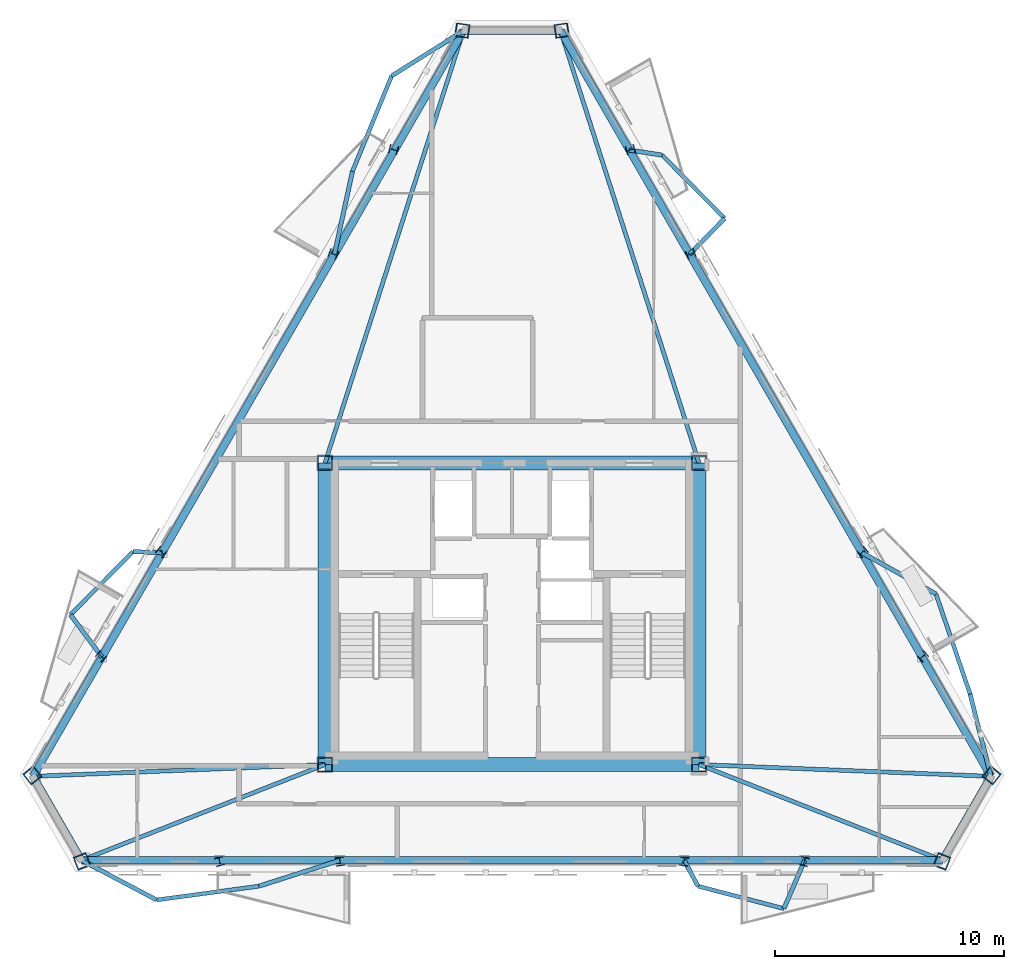
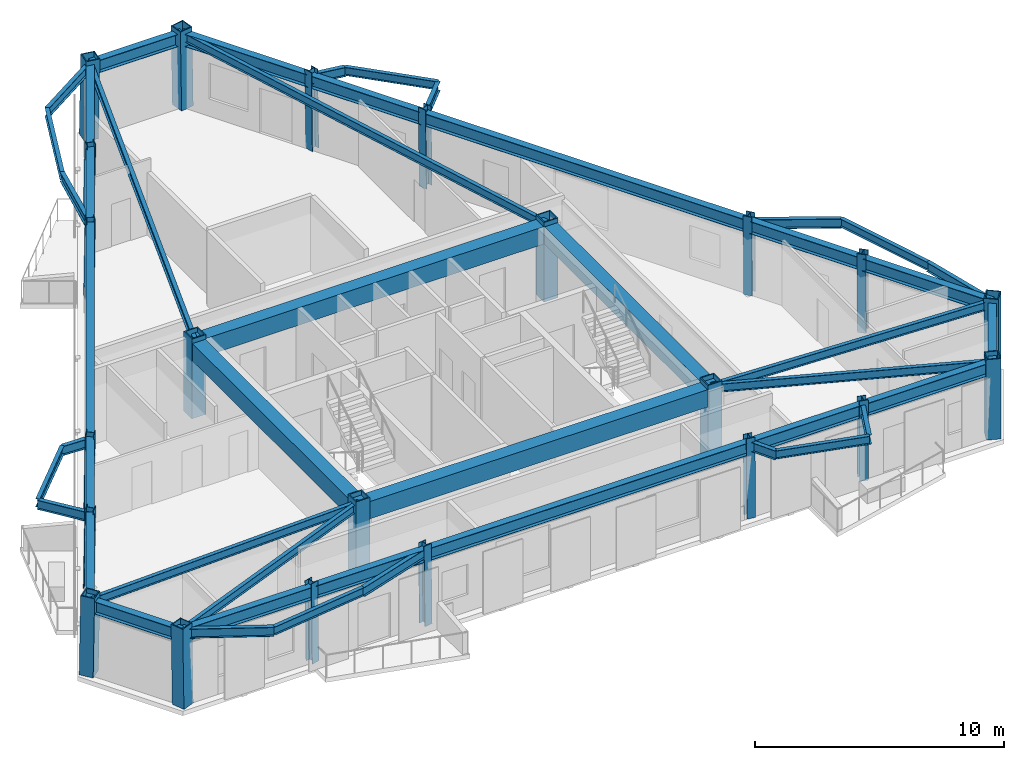
# One storey, part 1 of 9: 46 beams, 22 columns.
"""IFC4 building model written with IfcOpenShell, lengths in metres."""

from ifc_helpers import new_model, si_unit, direction, frame, origin, origin_2d, place, context, subcontext, project, spatial, rectangle, hollow_rectangle, i_section, extrude, material, material_profile, profile_set, type_object, element, save


model = new_model("IFC4")

# Units and contexts
model_context = context("Model", 3, precision=1e-05, world=origin(), true_north=direction((0.0, 1.0)))
body_context = subcontext(model_context, "Body", "Model", "MODEL_VIEW")
ifc_project = project(units=[si_unit("LENGTHUNIT", "METRE"), si_unit("AREAUNIT", "SQUARE_METRE"), si_unit("VOLUMEUNIT", "CUBIC_METRE"), si_unit("PLANEANGLEUNIT", "RADIAN"), si_unit("MASSUNIT", "GRAM", prefix="KILO")], contexts=[model_context])

# Site, building, storey
site_placement = place(None, origin())
site = spatial("IfcSite", under=ifc_project, at=site_placement, CompositionType="ELEMENT")
building_placement = place(site_placement, origin())
building = spatial("IfcBuilding", under=site, at=building_placement, Name="Oramaril Tower", CompositionType="ELEMENT")
storey_placement = place(building_placement, frame((0.0, 0.0, 285.0)))
storey = spatial("IfcBuildingStorey", under=building, at=storey_placement, Name="L75", CompositionType="ELEMENT", Elevation=285.0)

# Columns
ifc_material_1 = material(Name="Steel ASTM A572 Gr 50", Category="steel")
ifc_material_profile_1 = material_profile(ifc_material_1, hollow_rectangle(XDim=0.64990234375, YDim=0.64990234375, WallThickness=0.050048828125, at=origin_2d()), Name="BOX650X650X50")
ifc_profile_set_1 = profile_set([ifc_material_profile_1], Name="Steel ASTM A572 Gr 50")
column_type_1 = type_object("IfcColumnType", Name="CT-CC5", PredefinedType="COLUMN", material=ifc_profile_set_1)
for number, where, z_axis, x_axis, name in (
    (1, (29.35009765625, 11.0, 0.0), (0.0, 0.0, 1.0), (1.0, 0.0, 0.0), "L75 Core Column CC-1"),
    (2, (45.64990234375, 11.0, 0.0), (0.0, 0.0, 1.0), (1.0, 0.0, 0.0), "L75 Core Column CC-2"),
    (3, (45.64990234375, 24.14990234375, 0.0), (0.0, 0.0, 1.0), (1.0, 0.0, 0.0), "L75 Core Column CC-3"),
    (4, (29.35009765625, 24.14990234375, 0.0), (0.0, 0.0, 1.0), (1.0, 0.0, 0.0), "L75 Core Column CC-4"),
):
    element("IfcColumn", number, at=place(storey_placement, frame(where, z_axis=z_axis, x_axis=x_axis)), inside=storey, type_object=column_type_1, Name=name, PredefinedType="COLUMN", context=body_context, shape_type="SweptSolid", body=[
        extrude(hollow_rectangle(XDim=0.64990234375, YDim=0.64990234375, WallThickness=0.050048828125, at=origin_2d()), origin(), (0.0, 0.0, 1.0), 3.89990234375),
    ])
ifc_material_2 = material(Name="Steel ASTM A572 Gr 50", Category="steel")
ifc_material_profile_2 = material_profile(ifc_material_2, hollow_rectangle(XDim=0.60009765625, YDim=0.60009765625, WallThickness=0.044921875, at=origin_2d()), Name="BOX600X600X45")
ifc_profile_set_2 = profile_set([ifc_material_profile_2], Name="Steel ASTM A572 Gr 50")
column_type_2 = type_object("IfcColumnType", Name="CT-TC5", PredefinedType="COLUMN", material=ifc_profile_set_2)
for number, where, z_axis, x_axis, name in (
    (5, (16.58544921875, 10.535400390625, 0.00439453125), (0.009974899341, -0.012358837548, 0.999873872305), (0.778163919532, 0.628061234546, 0.0), "L75 Tube Column TC-01"),
    (6, (18.759521484375, 6.769775390625, 0.00439453125), (-0.005771639075, 0.014805508932, 0.999873734572), (-0.931708001736, -0.363208204067, 0.0), "L75 Tube Column TC-02"),
    (7, (56.240478515625, 6.769775390625, 0.00439453125), (0.005771639075, 0.014805508932, 0.999873734572), (-0.931708001736, 0.363208204067, 0.0), "L75 Tube Column TC-03"),
    (8, (58.41455078125, 10.535400390625, 0.00439453125), (-0.009974899341, -0.012358837548, 0.999873872305), (0.778163919532, -0.628061234546, 0.0), "L75 Tube Column TC-04"),
    (9, (39.674072265625, 42.994873046875, 0.00439453125), (-0.015683808501, -0.002383938892, 0.999874159575), (0.150273948098, -0.988644395383, 0.0), "L75 Tube Column TC-05"),
    (10, (35.325927734375, 42.994873046875, 0.00439453125), (0.015683808501, -0.002383938892, 0.999874159575), (0.150273948098, 0.988644395383, 0.0), "L75 Tube Column TC-06"),
):
    element("IfcColumn", number, at=place(storey_placement, frame(where, z_axis=z_axis, x_axis=x_axis)), inside=storey, type_object=column_type_2, Name=name, PredefinedType="COLUMN", context=body_context, shape_type="SweptSolid", body=[
        extrude(hollow_rectangle(XDim=0.60009765625, YDim=0.60009765625, WallThickness=0.044921875, at=origin_2d()), origin(), (0.0, 0.0, 1.0), 3.8916015625),
    ])
ifc_material_3 = material(Name="Steel ASTM A572 Gr 50", Category="steel")
ifc_material_profile_3 = material_profile(ifc_material_3, i_section(OverallWidth=0.373046875, OverallDepth=0.373046875, WebThickness=0.016357421875, FlangeThickness=0.026123046875, at=origin_2d()), Name="W14X132")
ifc_profile_set_3 = profile_set([ifc_material_profile_3], Name="Steel ASTM A572 Gr 50")
column_type_3 = type_object("IfcColumnType", Name="CT-TF5", PredefinedType="COLUMN", material=ifc_profile_set_3)
for number, where, z_axis, x_axis, name in (
    (11, (24.756591796875, 6.769775390625, 0.00439453125), (-0.003952353023, 0.014805639896, 0.999882579073), (-0.966166956994, -0.257917450384, 0.0), "L75 Tube Column TC-07"),
    (12, (30.00390625, 6.769775390625, 0.00439453125), (-0.002321235081, 0.01480571565, 0.99988769502), (-0.987932089453, -0.154887658092, 0.0), "L75 Tube Column TC-08"),
    (13, (44.99609375, 6.769775390625, 0.00439453125), (0.002321235081, 0.01480571565, 0.99988769502), (-0.987932089453, 0.154887658092, 0.0), "L75 Tube Column TC-09"),
    (14, (50.243408203125, 6.769775390625, 0.00439453125), (0.003952353023, 0.014805639896, 0.999882579073), (-0.966166956994, 0.257917450384, 0.0), "L75 Tube Column TC-10"),
    (15, (55.416015625, 15.72900390625, 0.00439453125), (-0.010853290119, -0.010790554338, 0.999882878157), (0.705054234529, -0.709153387056, 0.0), "L75 Tube Column TC-11"),
    (16, (52.79248046875, 20.273193359375, 0.00439453125), (-0.011668917641, -0.009347681336, 0.99988822236), (0.625206622887, -0.780459274208, 0.0), "L75 Tube Column TC-12"),
    (17, (45.296142578125, 33.257080078125, 0.00439453125), (-0.013990144915, -0.005395302523, 0.999887576958), (0.359820037684, -0.933021725621, 0.0), "L75 Tube Column TC-13"),
    (18, (42.672607421875, 37.80126953125, 0.00439453125), (-0.014805639896, -0.003952353023, 0.999882579073), (0.257917450384, -0.966166956994, 0.0), "L75 Tube Column TC-14"),
    (19, (32.327392578125, 37.80126953125, 0.00439453125), (0.014805639896, -0.003952353023, 0.999882579073), (0.257917450384, 0.966166956994, 0.0), "L75 Tube Column TC-15"),
    (20, (29.703857421875, 33.257080078125, 0.00439453125), (0.013990144915, -0.005395302523, 0.999887576958), (0.359820037684, 0.933021725621, 0.0), "L75 Tube Column TC-16"),
    (21, (22.20751953125, 20.273193359375, 0.00439453125), (0.011668917641, -0.009347681336, 0.99988822236), (0.625206622887, 0.780459274208, 0.0), "L75 Tube Column TC-17"),
    (22, (19.583984375, 15.72900390625, 0.00439453125), (0.010853290119, -0.010790554338, 0.999882878157), (0.705054234529, 0.709153387056, 0.0), "L75 Tube Column TC-18"),
):
    element("IfcColumn", number, at=place(storey_placement, frame(where, z_axis=z_axis, x_axis=x_axis)), inside=storey, type_object=column_type_3, Name=name, PredefinedType="COLUMN", context=body_context, shape_type="SweptSolid", body=[
        extrude(i_section(OverallWidth=0.373046875, OverallDepth=0.373046875, WebThickness=0.016357421875, FlangeThickness=0.026123046875, at=origin_2d()), origin(), (0.0, 0.0, 1.0), 3.8916015625),
    ])

# Beams
ifc_material_4 = material(Name="Steel ASTM A572 Gr 50", Category="steel")
ifc_material_profile_4 = material_profile(ifc_material_4, i_section(OverallWidth=0.19091796875, OverallDepth=0.45703125, WebThickness=0.009033203125, FlangeThickness=0.014404296875, at=origin_2d()), Name="W18X50")
ifc_profile_set_4 = profile_set([ifc_material_profile_4], Name="Steel ASTM A572 Gr 50")
beam_type_1 = type_object("IfcBeamType", Name="BT-BB1", PredefinedType="BEAM", material=ifc_profile_set_4)
for number, where, z_axis, x_axis, name in (
    (23, (18.737060546875, 6.827392578125, 3.451416015625), (0.884062224735, -0.467369214644, 0.0), (0.467369214644, 0.884062224735, 0.0), "L75 Balcony Column-Framed Cantilever 01.1"),
    (24, (29.994873046875, 6.827392578125, 3.451416015625), (-0.952466275355, -0.304644045259, 0.0), (0.304644045259, -0.952466275355, 0.0), "L75 Balcony Column-Framed Cantilever 01.2"),
):
    element("IfcBeam", number, at=place(storey_placement, frame(where, z_axis=z_axis, x_axis=x_axis)), inside=storey, type_object=beam_type_1, Name=name, PredefinedType="BEAM", context=body_context, shape_type="SweptSolid", body=[
        extrude(i_section(OverallWidth=0.19091796875, OverallDepth=0.45703125, WebThickness=0.009033203125, FlangeThickness=0.014404296875, at=origin_2d()), origin(), (0.0, 0.0, 1.0), 3.699951171875),
    ])
beam_1_placement = place(storey_placement, frame((45.005126953125, 6.827392578125, 3.451416015625), z_axis=(0.470439524127, -0.882432237704, 0.0), x_axis=(0.882432237704, 0.470439524127, 0.0)))
element("IfcBeam", 25, at=beam_1_placement, inside=storey, type_object=beam_type_1, Name="L75 Balcony Column-Framed Cantilever 02.1", PredefinedType="BEAM", context=body_context, shape_type="SweptSolid", body=[
    extrude(i_section(OverallWidth=0.19091796875, OverallDepth=0.45703125, WebThickness=0.009033203125, FlangeThickness=0.014404296875, at=origin_2d()), origin(), (0.0, 0.0, 1.0), 1.2783203125),
])
beam_2_placement = place(storey_placement, frame((50.2587890625, 6.827392578125, 3.451416015625), z_axis=(-0.395690149586, -0.91838407299, 0.0), x_axis=(0.91838407299, -0.395690149586, 0.0)))
element("IfcBeam", 26, at=beam_2_placement, inside=storey, type_object=beam_type_1, Name="L75 Balcony Column-Framed Cantilever 02.2", PredefinedType="BEAM", context=body_context, shape_type="SweptSolid", body=[
    extrude(i_section(OverallWidth=0.19091796875, OverallDepth=0.45703125, WebThickness=0.009033203125, FlangeThickness=0.014404296875, at=origin_2d()), origin(), (0.0, 0.0, 1.0), 2.295166015625),
])
for number, where, z_axis, x_axis, name in (
    (27, (58.375732421875, 10.4873046875, 3.451416015625), (-0.245329243552, 0.969439818791, 0.0), (-0.969439818791, -0.245329243552, 0.0), "L75 Balcony Column-Framed Cantilever 03.1"),
    (28, (52.7470703125, 20.23681640625, 3.451416015625), (0.873496628922, -0.486830195512, 0.0), (0.486830195512, 0.873496628922, 0.0), "L75 Balcony Column-Framed Cantilever 03.2"),
):
    element("IfcBeam", number, at=place(storey_placement, frame(where, z_axis=z_axis, x_axis=x_axis)), inside=storey, type_object=beam_type_1, Name=name, PredefinedType="BEAM", context=body_context, shape_type="SweptSolid", body=[
        extrude(i_section(OverallWidth=0.19091796875, OverallDepth=0.45703125, WebThickness=0.009033203125, FlangeThickness=0.014404296875, at=origin_2d()), origin(), (0.0, 0.0, 1.0), 3.699951171875),
    ])
beam_3_placement = place(storey_placement, frame((45.24169921875, 33.236083984375, 3.451416015625), z_axis=(0.695712625371, 0.71832022309, 0.0), x_axis=(-0.71832022309, 0.695712625371, 0.0)))
element("IfcBeam", 29, at=beam_3_placement, inside=storey, type_object=beam_type_1, Name="L75 Balcony Column-Framed Cantilever 04.1", PredefinedType="BEAM", context=body_context, shape_type="SweptSolid", body=[
    extrude(i_section(OverallWidth=0.19091796875, OverallDepth=0.45703125, WebThickness=0.009033203125, FlangeThickness=0.014404296875, at=origin_2d()), origin(), (0.0, 0.0, 1.0), 2.192138671875),
])
beam_4_placement = place(storey_placement, frame((42.614990234375, 37.785888671875, 3.451416015625), z_axis=(0.9881130552, -0.153728950246, 0.0), x_axis=(0.153728950246, 0.9881130552, 0.0)))
element("IfcBeam", 30, at=beam_4_placement, inside=storey, type_object=beam_type_1, Name="L75 Balcony Column-Framed Cantilever 04.2", PredefinedType="BEAM", context=body_context, shape_type="SweptSolid", body=[
    extrude(i_section(OverallWidth=0.19091796875, OverallDepth=0.45703125, WebThickness=0.009033203125, FlangeThickness=0.014404296875, at=origin_2d()), origin(), (0.0, 0.0, 1.0), 1.448486328125),
])
for number, where, z_axis, x_axis, name in (
    (31, (35.386962890625, 42.985595703125, 3.451416015625), (-0.846769030932, -0.531960720593, 0.0), (0.531960720593, -0.846769030932, 0.0), "L75 Balcony Column-Framed Cantilever 05.1"),
    (32, (29.75830078125, 33.236083984375, 3.451416015625), (0.2123447186, 0.977194822173, 0.0), (-0.977194822173, 0.2123447186, 0.0), "L75 Balcony Column-Framed Cantilever 05.2"),
):
    element("IfcBeam", number, at=place(storey_placement, frame(where, z_axis=z_axis, x_axis=x_axis)), inside=storey, type_object=beam_type_1, Name=name, PredefinedType="BEAM", context=body_context, shape_type="SweptSolid", body=[
        extrude(i_section(OverallWidth=0.19091796875, OverallDepth=0.45703125, WebThickness=0.009033203125, FlangeThickness=0.014404296875, at=origin_2d()), origin(), (0.0, 0.0, 1.0), 3.699951171875),
    ])
beam_5_placement = place(storey_placement, frame((22.2529296875, 20.23681640625, 3.451416015625), z_axis=(-0.999428246965, 0.033810932667, 0.0), x_axis=(-0.033810932667, -0.999428246965, 0.0)))
element("IfcBeam", 33, at=beam_5_placement, inside=storey, type_object=beam_type_1, Name="L75 Balcony Column-Framed Cantilever 06.1", PredefinedType="BEAM", context=body_context, shape_type="SweptSolid", body=[
    extrude(i_section(OverallWidth=0.19091796875, OverallDepth=0.45703125, WebThickness=0.009033203125, FlangeThickness=0.014404296875, at=origin_2d()), origin(), (0.0, 0.0, 1.0), 1.278076171875),
])
beam_6_placement = place(storey_placement, frame((19.626220703125, 15.68701171875, 3.451416015625), z_axis=(-0.597461206043, 0.80189781598, 0.0), x_axis=(-0.80189781598, -0.597461206043, 0.0)))
element("IfcBeam", 34, at=beam_6_placement, inside=storey, type_object=beam_type_1, Name="L75 Balcony Column-Framed Cantilever 06.2", PredefinedType="BEAM", context=body_context, shape_type="SweptSolid", body=[
    extrude(i_section(OverallWidth=0.19091796875, OverallDepth=0.45703125, WebThickness=0.009033203125, FlangeThickness=0.014404296875, at=origin_2d()), origin(), (0.0, 0.0, 1.0), 2.295166015625),
])
ifc_material_5 = material(Name="Concrete C50/60", Category="concrete")
ifc_material_profile_5 = material_profile(ifc_material_5, rectangle(XDim=0.60009765625, YDim=0.85009765625, at=origin_2d()), Name="CB600X850")
ifc_profile_set_5 = profile_set([ifc_material_profile_5], Name="Concrete C50/60")
beam_type_2 = type_object("IfcBeamType", Name="BT-CB2", PredefinedType="BEAM", material=ifc_profile_set_5)
beam_7_placement = place(storey_placement, frame((29.35009765625, 11.0, 3.2548828125), z_axis=(1.0, 0.0, 0.0), x_axis=(0.0, 1.0, 0.0)))
element("IfcBeam", 35, at=beam_7_placement, inside=storey, type_object=beam_type_2, Name="L75 Core Header Beam CB-1", PredefinedType="BEAM", context=body_context, shape_type="SweptSolid", body=[
    extrude(rectangle(XDim=0.60009765625, YDim=0.85009765625, at=origin_2d()), origin(), (0.0, 0.0, 1.0), 16.2998046875),
])
beam_8_placement = place(storey_placement, frame((45.64990234375, 11.0, 3.2548828125), z_axis=(0.0, 1.0, 0.0), x_axis=(-1.0, 0.0, 0.0)))
element("IfcBeam", 36, at=beam_8_placement, inside=storey, type_object=beam_type_2, Name="L75 Core Header Beam CB-2", PredefinedType="BEAM", context=body_context, shape_type="SweptSolid", body=[
    extrude(rectangle(XDim=0.60009765625, YDim=0.85009765625, at=origin_2d()), origin(), (0.0, 0.0, 1.0), 13.14990234375),
])
beam_9_placement = place(storey_placement, frame((45.64990234375, 24.14990234375, 3.2548828125), z_axis=(-1.0, 0.0, 0.0), x_axis=(0.0, -1.0, 0.0)))
element("IfcBeam", 37, at=beam_9_placement, inside=storey, type_object=beam_type_2, Name="L75 Core Header Beam CB-3", PredefinedType="BEAM", context=body_context, shape_type="SweptSolid", body=[
    extrude(rectangle(XDim=0.60009765625, YDim=0.85009765625, at=origin_2d()), origin(), (0.0, 0.0, 1.0), 16.2998046875),
])
beam_10_placement = place(storey_placement, frame((29.35009765625, 24.14990234375, 3.2548828125), z_axis=(0.0, -1.0, 0.0), x_axis=(1.0, 0.0, 0.0)))
element("IfcBeam", 38, at=beam_10_placement, inside=storey, type_object=beam_type_2, Name="L75 Core Header Beam CB-4", PredefinedType="BEAM", context=body_context, shape_type="SweptSolid", body=[
    extrude(rectangle(XDim=0.60009765625, YDim=0.85009765625, at=origin_2d()), origin(), (0.0, 0.0, 1.0), 13.14990234375),
])
ifc_material_6 = material(Name="Steel ASTM A572 Gr 50", Category="steel")
ifc_material_profile_6 = material_profile(ifc_material_6, i_section(OverallWidth=0.177978515625, OverallDepth=0.404052734375, WebThickness=0.007568359375, FlangeThickness=0.010986328125, at=origin_2d()), Name="W16X36")
ifc_profile_set_6 = profile_set([ifc_material_profile_6], Name="Steel ASTM A572 Gr 50")
beam_type_3 = type_object("IfcBeamType", Name="BT-SB1", PredefinedType="BEAM", material=ifc_profile_set_6)
beam_11_placement = place(storey_placement, frame((29.35009765625, 11.0, 3.47802734375), z_axis=(-0.999189434394, -0.040255113904, 0.0), x_axis=(0.040255113904, -0.999189434394, 0.0)))
element("IfcBeam", 39, at=beam_11_placement, inside=storey, type_object=beam_type_3, Name="L75 Radial Primary Beam RB-01", PredefinedType="BEAM", context=body_context, shape_type="SweptSolid", body=[
    extrude(i_section(OverallWidth=0.177978515625, OverallDepth=0.404052734375, WebThickness=0.007568359375, FlangeThickness=0.010986328125, at=origin_2d()), origin(), (0.0, 0.0, 1.0), 12.736083984375),
])
for number, where, z_axis, x_axis, name in (
    (40, (29.35009765625, 11.0, 3.47802734375), (-0.930655962503, -0.365895448808, 0.0), (0.365895448808, -0.930655962503, 0.0), "L75 Radial Primary Beam RB-02"),
    (41, (45.64990234375, 11.0, 3.47802734375), (0.930655962503, -0.365895448808, 0.0), (0.365895448808, 0.930655962503, 0.0), "L75 Radial Primary Beam RB-03"),
):
    element("IfcBeam", number, at=place(storey_placement, frame(where, z_axis=z_axis, x_axis=x_axis)), inside=storey, type_object=beam_type_3, Name=name, PredefinedType="BEAM", context=body_context, shape_type="SweptSolid", body=[
        extrude(i_section(OverallWidth=0.177978515625, OverallDepth=0.404052734375, WebThickness=0.007568359375, FlangeThickness=0.010986328125, at=origin_2d()), origin(), (0.0, 0.0, 1.0), 11.40380859375),
    ])
beam_12_placement = place(storey_placement, frame((45.64990234375, 11.0, 3.47802734375), z_axis=(0.999189434394, -0.040255113904, 0.0), x_axis=(0.040255113904, 0.999189434394, 0.0)))
element("IfcBeam", 42, at=beam_12_placement, inside=storey, type_object=beam_type_3, Name="L75 Radial Primary Beam RB-04", PredefinedType="BEAM", context=body_context, shape_type="SweptSolid", body=[
    extrude(i_section(OverallWidth=0.177978515625, OverallDepth=0.404052734375, WebThickness=0.007568359375, FlangeThickness=0.010986328125, at=origin_2d()), origin(), (0.0, 0.0, 1.0), 12.736083984375),
])
for number, where, z_axis, x_axis, name in (
    (43, (45.64990234375, 24.14990234375, 3.47802734375), (-0.305208780309, 0.952285461625, 0.0), (-0.952285461625, -0.305208780309, 0.0), "L75 Radial Primary Beam RB-05"),
    (44, (29.35009765625, 24.14990234375, 3.47802734375), (0.305208780309, 0.952285461625, 0.0), (-0.952285461625, 0.305208780309, 0.0), "L75 Radial Primary Beam RB-06"),
):
    element("IfcBeam", number, at=place(storey_placement, frame(where, z_axis=z_axis, x_axis=x_axis)), inside=storey, type_object=beam_type_3, Name=name, PredefinedType="BEAM", context=body_context, shape_type="SweptSolid", body=[
        extrude(i_section(OverallWidth=0.177978515625, OverallDepth=0.404052734375, WebThickness=0.007568359375, FlangeThickness=0.010986328125, at=origin_2d()), origin(), (0.0, 0.0, 1.0), 19.779541015625),
    ])
beam_13_placement = place(storey_placement, frame((22.008056640625, 5.09814453125, 3.47802734375), z_axis=(0.991022158872, 0.133697721089, 0.0), x_axis=(-0.133697721089, 0.991022158872, 0.0)))
element("IfcBeam", 45, at=beam_13_placement, inside=storey, type_object=beam_type_3, Name="L75 Balcony Edge Tie Beam 01", PredefinedType="BEAM", context=body_context, shape_type="SweptSolid", body=[
    extrude(i_section(OverallWidth=0.177978515625, OverallDepth=0.404052734375, WebThickness=0.007568359375, FlangeThickness=0.010986328125, at=origin_2d()), origin(), (0.0, 0.0, 1.0), 4.503173828125),
])
beam_14_placement = place(storey_placement, frame((45.6064453125, 5.699462890625, 3.47802734375), z_axis=(0.967411967632, -0.253207592467, 0.0), x_axis=(0.253207592467, 0.967411967632, 0.0)))
element("IfcBeam", 46, at=beam_14_placement, inside=storey, type_object=beam_type_3, Name="L75 Balcony Edge Tie Beam 02", PredefinedType="BEAM", context=body_context, shape_type="SweptSolid", body=[
    extrude(i_section(OverallWidth=0.177978515625, OverallDepth=0.404052734375, WebThickness=0.007568359375, FlangeThickness=0.010986328125, at=origin_2d()), origin(), (0.0, 0.0, 1.0), 3.870361328125),
])
beam_15_placement = place(storey_placement, frame((57.468017578125, 14.07421875, 3.47802734375), z_axis=(-0.32310103746, 0.946364475027, 0.0), x_axis=(-0.946364475027, -0.32310103746, 0.0)))
element("IfcBeam", 47, at=beam_15_placement, inside=storey, type_object=beam_type_3, Name="L75 Balcony Edge Tie Beam 03", PredefinedType="BEAM", context=body_context, shape_type="SweptSolid", body=[
    extrude(i_section(OverallWidth=0.177978515625, OverallDepth=0.404052734375, WebThickness=0.007568359375, FlangeThickness=0.010986328125, at=origin_2d()), origin(), (0.0, 0.0, 1.0), 4.6083984375),
])
beam_16_placement = place(storey_placement, frame((46.766845703125, 34.810791015625, 3.47802734375), z_axis=(-0.702994511648, 0.71119527318, 0.0), x_axis=(-0.71119527318, -0.702994511648, 0.0)))
element("IfcBeam", 48, at=beam_16_placement, inside=storey, type_object=beam_type_3, Name="L75 Balcony Edge Tie Beam 04", PredefinedType="BEAM", context=body_context, shape_type="SweptSolid", body=[
    extrude(i_section(OverallWidth=0.177978515625, OverallDepth=0.404052734375, WebThickness=0.007568359375, FlangeThickness=0.010986328125, at=origin_2d()), origin(), (0.0, 0.0, 1.0), 3.8701171875),
])
beam_17_placement = place(storey_placement, frame((32.25390625, 41.017333984375, 3.47802734375), z_axis=(-0.379732453888, -0.925096353611, 0.0), x_axis=(0.925096353611, -0.379732453888, 0.0)))
element("IfcBeam", 49, at=beam_17_placement, inside=storey, type_object=beam_type_3, Name="L75 Balcony Edge Tie Beam 05", PredefinedType="BEAM", context=body_context, shape_type="SweptSolid", body=[
    extrude(i_section(OverallWidth=0.177978515625, OverallDepth=0.404052734375, WebThickness=0.007568359375, FlangeThickness=0.010986328125, at=origin_2d()), origin(), (0.0, 0.0, 1.0), 4.503173828125),
])
beam_18_placement = place(storey_placement, frame((20.9755859375, 20.280029296875, 3.47802734375), z_axis=(-0.702994511648, -0.71119527318, 0.0), x_axis=(0.71119527318, -0.702994511648, 0.0)))
element("IfcBeam", 50, at=beam_18_placement, inside=storey, type_object=beam_type_3, Name="L75 Balcony Edge Tie Beam 06", PredefinedType="BEAM", context=body_context, shape_type="SweptSolid", body=[
    extrude(i_section(OverallWidth=0.177978515625, OverallDepth=0.404052734375, WebThickness=0.007568359375, FlangeThickness=0.010986328125, at=origin_2d()), origin(), (0.0, 0.0, 1.0), 3.8701171875),
])
ifc_material_7 = material(Name="Steel ASTM A572 Gr 50", Category="steel")
ifc_material_profile_7 = material_profile(ifc_material_7, i_section(OverallWidth=0.324951171875, OverallDepth=0.612060546875, WebThickness=0.0126953125, FlangeThickness=0.01904296875, at=origin_2d()), Name="W24X104")
ifc_profile_set_7 = profile_set([ifc_material_profile_7], Name="Steel ASTM A572 Gr 50")
beam_type_4 = type_object("IfcBeamType", Name="BT-SP5", PredefinedType="SPANDREL", material=ifc_profile_set_7)
beam_19_placement = place(storey_placement, frame((16.624267578125, 10.4873046875, 3.3740234375), z_axis=(0.499954162615, -0.866051866393, 0.0), x_axis=(0.866051866393, 0.499954162615, 0.0)))
element("IfcBeam", 51, at=beam_19_placement, inside=storey, type_object=beam_type_4, Name="L75 Perimeter Spandrel 01", PredefinedType="SPANDREL", context=body_context, shape_type="SweptSolid", body=[
    extrude(i_section(OverallWidth=0.324951171875, OverallDepth=0.612060546875, WebThickness=0.0126953125, FlangeThickness=0.01904296875, at=origin_2d()), origin(), (0.0, 0.0, 1.0), 4.22607421875),
])
beam_20_placement = place(storey_placement, frame((18.737060546875, 6.827392578125, 3.3740234375), z_axis=(1.0, 0.0, 0.0), x_axis=(0.0, 1.0, 0.0)))
element("IfcBeam", 52, at=beam_20_placement, inside=storey, type_object=beam_type_4, Name="L75 Perimeter Spandrel 02", PredefinedType="SPANDREL", context=body_context, shape_type="SweptSolid", body=[
    extrude(i_section(OverallWidth=0.324951171875, OverallDepth=0.612060546875, WebThickness=0.0126953125, FlangeThickness=0.01904296875, at=origin_2d()), origin(), (0.0, 0.0, 1.0), 6.004150390625),
])
beam_21_placement = place(storey_placement, frame((24.7412109375, 6.827392578125, 3.3740234375), z_axis=(1.0, 0.0, 0.0), x_axis=(0.0, 1.0, 0.0)))
element("IfcBeam", 53, at=beam_21_placement, inside=storey, type_object=beam_type_4, Name="L75 Perimeter Spandrel 03", PredefinedType="SPANDREL", context=body_context, shape_type="SweptSolid", body=[
    extrude(i_section(OverallWidth=0.324951171875, OverallDepth=0.612060546875, WebThickness=0.0126953125, FlangeThickness=0.01904296875, at=origin_2d()), origin(), (0.0, 0.0, 1.0), 5.253662109375),
])
beam_22_placement = place(storey_placement, frame((29.994873046875, 6.827392578125, 3.3740234375), z_axis=(1.0, 0.0, 0.0), x_axis=(0.0, 1.0, 0.0)))
element("IfcBeam", 54, at=beam_22_placement, inside=storey, type_object=beam_type_4, Name="L75 Perimeter Spandrel 04", PredefinedType="SPANDREL", context=body_context, shape_type="SweptSolid", body=[
    extrude(i_section(OverallWidth=0.324951171875, OverallDepth=0.612060546875, WebThickness=0.0126953125, FlangeThickness=0.01904296875, at=origin_2d()), origin(), (0.0, 0.0, 1.0), 15.01025390625),
])
beam_23_placement = place(storey_placement, frame((45.005126953125, 6.827392578125, 3.3740234375), z_axis=(1.0, 0.0, 0.0), x_axis=(0.0, 1.0, 0.0)))
element("IfcBeam", 55, at=beam_23_placement, inside=storey, type_object=beam_type_4, Name="L75 Perimeter Spandrel 05", PredefinedType="SPANDREL", context=body_context, shape_type="SweptSolid", body=[
    extrude(i_section(OverallWidth=0.324951171875, OverallDepth=0.612060546875, WebThickness=0.0126953125, FlangeThickness=0.01904296875, at=origin_2d()), origin(), (0.0, 0.0, 1.0), 5.253662109375),
])
beam_24_placement = place(storey_placement, frame((50.2587890625, 6.827392578125, 3.3740234375), z_axis=(1.0, 0.0, 0.0), x_axis=(0.0, 1.0, 0.0)))
element("IfcBeam", 56, at=beam_24_placement, inside=storey, type_object=beam_type_4, Name="L75 Perimeter Spandrel 06", PredefinedType="SPANDREL", context=body_context, shape_type="SweptSolid", body=[
    extrude(i_section(OverallWidth=0.324951171875, OverallDepth=0.612060546875, WebThickness=0.0126953125, FlangeThickness=0.01904296875, at=origin_2d()), origin(), (0.0, 0.0, 1.0), 6.004150390625),
])
beam_25_placement = place(storey_placement, frame((56.262939453125, 6.827392578125, 3.3740234375), z_axis=(0.499954162615, 0.866051866393, 0.0), x_axis=(-0.866051866393, 0.499954162615, 0.0)))
element("IfcBeam", 57, at=beam_25_placement, inside=storey, type_object=beam_type_4, Name="L75 Perimeter Spandrel 07", PredefinedType="SPANDREL", context=body_context, shape_type="SweptSolid", body=[
    extrude(i_section(OverallWidth=0.324951171875, OverallDepth=0.612060546875, WebThickness=0.0126953125, FlangeThickness=0.01904296875, at=origin_2d()), origin(), (0.0, 0.0, 1.0), 4.22607421875),
])
beam_26_placement = place(storey_placement, frame((58.375732421875, 10.4873046875, 3.3740234375), z_axis=(-0.499987617168, 0.866032552898, 0.0), x_axis=(-0.866032552898, -0.499987617168, 0.0)))
element("IfcBeam", 58, at=beam_26_placement, inside=storey, type_object=beam_type_4, Name="L75 Perimeter Spandrel 08", PredefinedType="SPANDREL", context=body_context, shape_type="SweptSolid", body=[
    extrude(i_section(OverallWidth=0.324951171875, OverallDepth=0.612060546875, WebThickness=0.0126953125, FlangeThickness=0.01904296875, at=origin_2d()), origin(), (0.0, 0.0, 1.0), 6.004150390625),
])
beam_27_placement = place(storey_placement, frame((55.373779296875, 15.68701171875, 3.3740234375), z_axis=(-0.499982586598, 0.866035457183, 0.0), x_axis=(-0.866035457183, -0.499982586598, 0.0)))
element("IfcBeam", 59, at=beam_27_placement, inside=storey, type_object=beam_type_4, Name="L75 Perimeter Spandrel 09", PredefinedType="SPANDREL", context=body_context, shape_type="SweptSolid", body=[
    extrude(i_section(OverallWidth=0.324951171875, OverallDepth=0.612060546875, WebThickness=0.0126953125, FlangeThickness=0.01904296875, at=origin_2d()), origin(), (0.0, 0.0, 1.0), 5.253662109375),
])
beam_28_placement = place(storey_placement, frame((52.7470703125, 20.23681640625, 3.3740234375), z_axis=(-0.500012014549, 0.86601846707, 0.0), x_axis=(-0.86601846707, -0.500012014549, 0.0)))
element("IfcBeam", 60, at=beam_28_placement, inside=storey, type_object=beam_type_4, Name="L75 Perimeter Spandrel 10", PredefinedType="SPANDREL", context=body_context, shape_type="SweptSolid", body=[
    extrude(i_section(OverallWidth=0.324951171875, OverallDepth=0.612060546875, WebThickness=0.0126953125, FlangeThickness=0.01904296875, at=origin_2d()), origin(), (0.0, 0.0, 1.0), 15.010498046875),
])
beam_29_placement = place(storey_placement, frame((45.24169921875, 33.236083984375, 3.3740234375), z_axis=(-0.499982586598, 0.866035457183, 0.0), x_axis=(-0.866035457183, -0.499982586598, 0.0)))
element("IfcBeam", 61, at=beam_29_placement, inside=storey, type_object=beam_type_4, Name="L75 Perimeter Spandrel 11", PredefinedType="SPANDREL", context=body_context, shape_type="SweptSolid", body=[
    extrude(i_section(OverallWidth=0.324951171875, OverallDepth=0.612060546875, WebThickness=0.0126953125, FlangeThickness=0.01904296875, at=origin_2d()), origin(), (0.0, 0.0, 1.0), 5.253662109375),
])
beam_30_placement = place(storey_placement, frame((42.614990234375, 37.785888671875, 3.3740234375), z_axis=(-0.499987617168, 0.866032552898, 0.0), x_axis=(-0.866032552898, -0.499987617168, 0.0)))
element("IfcBeam", 62, at=beam_30_placement, inside=storey, type_object=beam_type_4, Name="L75 Perimeter Spandrel 12", PredefinedType="SPANDREL", context=body_context, shape_type="SweptSolid", body=[
    extrude(i_section(OverallWidth=0.324951171875, OverallDepth=0.612060546875, WebThickness=0.0126953125, FlangeThickness=0.01904296875, at=origin_2d()), origin(), (0.0, 0.0, 1.0), 6.004150390625),
])
beam_31_placement = place(storey_placement, frame((39.613037109375, 42.985595703125, 3.3740234375), z_axis=(-1.0, 0.0, 0.0), x_axis=(0.0, -1.0, 0.0)))
element("IfcBeam", 63, at=beam_31_placement, inside=storey, type_object=beam_type_4, Name="L75 Perimeter Spandrel 13", PredefinedType="SPANDREL", context=body_context, shape_type="SweptSolid", body=[
    extrude(i_section(OverallWidth=0.324951171875, OverallDepth=0.612060546875, WebThickness=0.0126953125, FlangeThickness=0.01904296875, at=origin_2d()), origin(), (0.0, 0.0, 1.0), 4.22607421875),
])
beam_32_placement = place(storey_placement, frame((35.386962890625, 42.985595703125, 3.3740234375), z_axis=(-0.499987617168, -0.866032552898, 0.0), x_axis=(0.866032552898, -0.499987617168, 0.0)))
element("IfcBeam", 64, at=beam_32_placement, inside=storey, type_object=beam_type_4, Name="L75 Perimeter Spandrel 14", PredefinedType="SPANDREL", context=body_context, shape_type="SweptSolid", body=[
    extrude(i_section(OverallWidth=0.324951171875, OverallDepth=0.612060546875, WebThickness=0.0126953125, FlangeThickness=0.01904296875, at=origin_2d()), origin(), (0.0, 0.0, 1.0), 6.004150390625),
])
beam_33_placement = place(storey_placement, frame((32.385009765625, 37.785888671875, 3.3740234375), z_axis=(-0.499982586598, -0.866035457183, 0.0), x_axis=(0.866035457183, -0.499982586598, 0.0)))
element("IfcBeam", 65, at=beam_33_placement, inside=storey, type_object=beam_type_4, Name="L75 Perimeter Spandrel 15", PredefinedType="SPANDREL", context=body_context, shape_type="SweptSolid", body=[
    extrude(i_section(OverallWidth=0.324951171875, OverallDepth=0.612060546875, WebThickness=0.0126953125, FlangeThickness=0.01904296875, at=origin_2d()), origin(), (0.0, 0.0, 1.0), 5.253662109375),
])
beam_34_placement = place(storey_placement, frame((29.75830078125, 33.236083984375, 3.3740234375), z_axis=(-0.500012014549, -0.86601846707, 0.0), x_axis=(0.86601846707, -0.500012014549, 0.0)))
element("IfcBeam", 66, at=beam_34_placement, inside=storey, type_object=beam_type_4, Name="L75 Perimeter Spandrel 16", PredefinedType="SPANDREL", context=body_context, shape_type="SweptSolid", body=[
    extrude(i_section(OverallWidth=0.324951171875, OverallDepth=0.612060546875, WebThickness=0.0126953125, FlangeThickness=0.01904296875, at=origin_2d()), origin(), (0.0, 0.0, 1.0), 15.010498046875),
])
beam_35_placement = place(storey_placement, frame((22.2529296875, 20.23681640625, 3.3740234375), z_axis=(-0.499982586598, -0.866035457183, 0.0), x_axis=(0.866035457183, -0.499982586598, 0.0)))
element("IfcBeam", 67, at=beam_35_placement, inside=storey, type_object=beam_type_4, Name="L75 Perimeter Spandrel 17", PredefinedType="SPANDREL", context=body_context, shape_type="SweptSolid", body=[
    extrude(i_section(OverallWidth=0.324951171875, OverallDepth=0.612060546875, WebThickness=0.0126953125, FlangeThickness=0.01904296875, at=origin_2d()), origin(), (0.0, 0.0, 1.0), 5.253662109375),
])
beam_36_placement = place(storey_placement, frame((19.626220703125, 15.68701171875, 3.3740234375), z_axis=(-0.499987617168, -0.866032552898, 0.0), x_axis=(0.866032552898, -0.499987617168, 0.0)))
element("IfcBeam", 68, at=beam_36_placement, inside=storey, type_object=beam_type_4, Name="L75 Perimeter Spandrel 18", PredefinedType="SPANDREL", context=body_context, shape_type="SweptSolid", body=[
    extrude(i_section(OverallWidth=0.324951171875, OverallDepth=0.612060546875, WebThickness=0.0126953125, FlangeThickness=0.01904296875, at=origin_2d()), origin(), (0.0, 0.0, 1.0), 6.004150390625),
])

save(model, "model.ifc")
